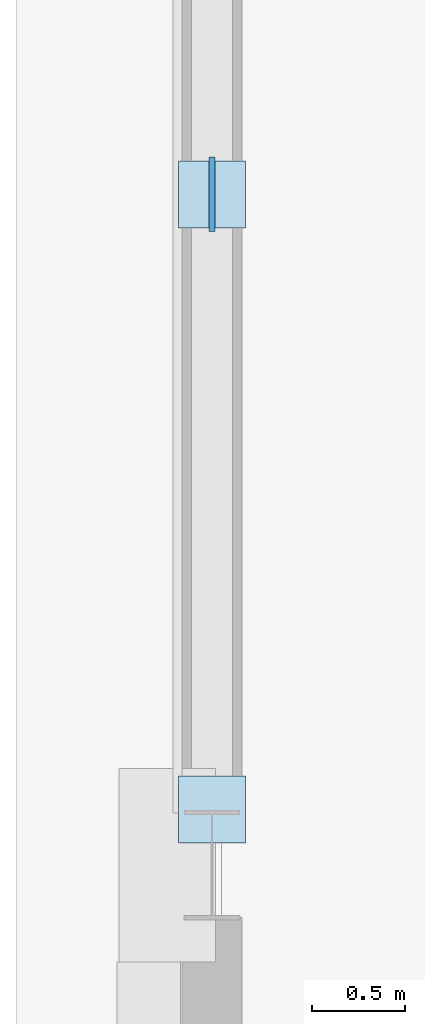
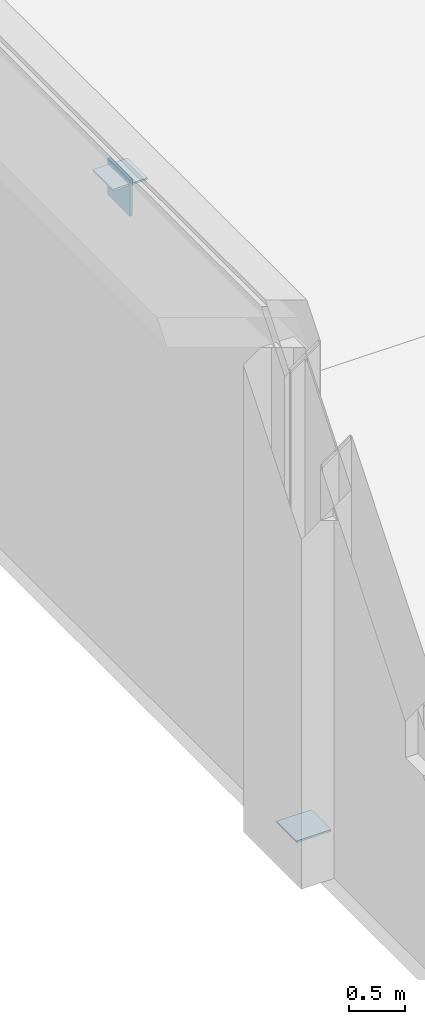
# One storey, part 48 of 85: 3 plates.
"""IFC4 building model written with IfcOpenShell, lengths in metres."""

from ifc_helpers import new_model, si_unit, direction, frame, origin, origin_2d, place, context, subcontext, project, spatial, rectangle, extrude, material, layer, layer_set, type_object, element, save


model = new_model("IFC4")

# Units and contexts
model_context = context("Model", 3, precision=1e-05, world=origin(), true_north=direction((0.0, 1.0)))
body_context = subcontext(model_context, "Body", "Model", "MODEL_VIEW")
ifc_project = project(units=[si_unit("LENGTHUNIT", "METRE"), si_unit("AREAUNIT", "SQUARE_METRE"), si_unit("VOLUMEUNIT", "CUBIC_METRE"), si_unit("PLANEANGLEUNIT", "RADIAN"), si_unit("MASSUNIT", "GRAM", prefix="KILO")], contexts=[model_context])

# Site, building, storey
site_placement = place(None, origin())
site = spatial("IfcSite", under=ifc_project, at=site_placement, CompositionType="ELEMENT")
building_placement = place(site_placement, origin())
building = spatial("IfcBuilding", under=site, at=building_placement, Name="Sardonyx Promenade Sports Hall", CompositionType="ELEMENT")
storey_placement = place(building_placement, origin())
storey = spatial("IfcBuildingStorey", under=building, at=storey_placement, Name="L00", CompositionType="ELEMENT", Elevation=0.0)

# Plates
ifc_material_1 = material(Name="Steel S355JR", Category="steel")
ifc_layer_1 = layer(ifc_material_1, 0.02001953125)
ifc_layer_set_1 = layer_set([ifc_layer_1], Name="Plt_EndCap_EC1")
plate_type_1 = type_object("IfcPlateType", Name="Plt_EndCap_EC1", PredefinedType="USERDEFINED", material=ifc_layer_set_1)
for number, where, z_axis, x_axis, name in (
    (1, (0.0, 57.89990234375, 0.010009765625), (0.0, 0.0, 1.0), (1.0, 0.0, 0.0), "Brace foot end-cap plate EC1 BF2 L00 L1"),
    (2, (0.0, 61.199951171875, 5.155029296875), (0.0, 0.0, 1.0), (1.0, 0.0, 0.0), "Brace apex cap plate EC1 BF2 L00"),
):
    element("IfcPlate", number, at=place(storey_placement, frame(where, z_axis=z_axis, x_axis=x_axis)), inside=storey, type_object=plate_type_1, Name=name, ObjectType="END CAP PLATE", PredefinedType="USERDEFINED", context=body_context, shape_type="SweptSolid", body=[
        extrude(rectangle(XDim=0.360107421875, YDim=0.360107421875, at=origin_2d()), origin(), (0.0, 0.0, 1.0), 0.02001953125),
    ])
ifc_material_2 = material(Name="Steel S355JR", Category="steel")
ifc_layer_2 = layer(ifc_material_2, 0.030029296875)
ifc_layer_set_2 = layer_set([ifc_layer_2], Name="Plt_Gusset_KN4")
plate_type_2 = type_object("IfcPlateType", Name="Plt_Gusset_KN4", PredefinedType="USERDEFINED", material=ifc_layer_set_2)
plate_placement = place(storey_placement, frame((0.0, 61.199951171875, 4.830078125), z_axis=(0.0, 0.0, 1.0), x_axis=(0.0, 1.0, 0.0)))
element("IfcPlate", 3, at=plate_placement, inside=storey, type_object=plate_type_2, Name="Braced-frame apex gusset KN4 BF2 L00", ObjectType="GUSSET PLATE", PredefinedType="USERDEFINED", context=body_context, shape_type="SweptSolid", body=[
    extrude(rectangle(XDim=0.39990234375, YDim=0.030029296875, at=origin_2d()), origin(), (0.0, 0.0, 1.0), 0.39990234375),
])

save(model, "model.ifc")
